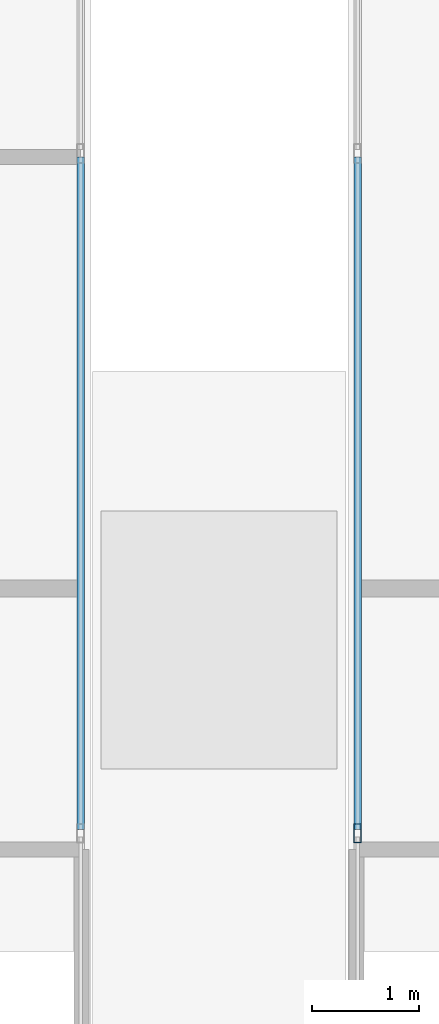
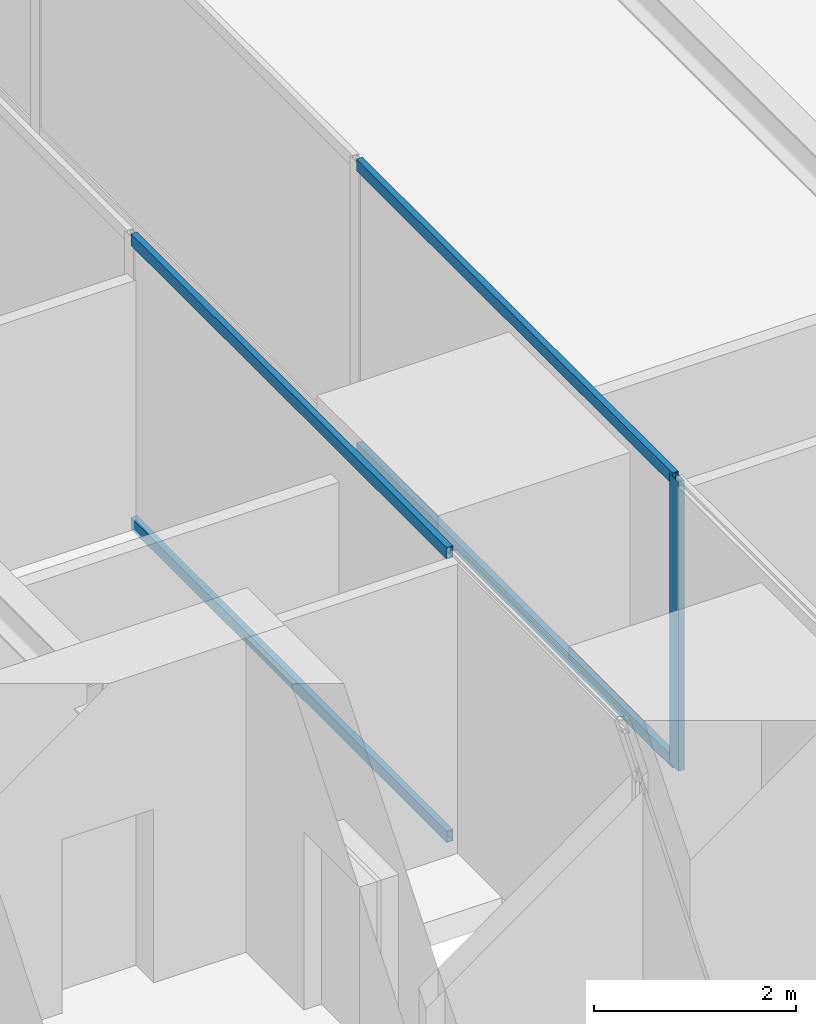
# One storey, part 12 of 25: 5 members, 2 elements without a shape of their own.
"""IFC4 building model written with IfcOpenShell, lengths in metres."""

from ifc_helpers import new_model, si_unit, direction, frame, origin, origin_2d, place, context, subcontext, project, spatial, hollow_rectangle, extrude, source, transform, mapped, material, material_profile, profile_set, type_object, type_shapes, element, aggregate, save


model = new_model("IFC4")

# Units and contexts
model_context = context("Model", 3, precision=1e-05, world=origin(), true_north=direction((0.0, 1.0)))
body_context = subcontext(model_context, "Body", "Model", "MODEL_VIEW")
ifc_project = project(units=[si_unit("LENGTHUNIT", "METRE"), si_unit("AREAUNIT", "SQUARE_METRE"), si_unit("VOLUMEUNIT", "CUBIC_METRE"), si_unit("PLANEANGLEUNIT", "RADIAN"), si_unit("MASSUNIT", "GRAM", prefix="KILO")], contexts=[model_context])

# Site, building, storey
site_placement = place(None, origin())
site = spatial("IfcSite", under=ifc_project, at=site_placement, CompositionType="ELEMENT")
building_placement = place(site_placement, origin())
building = spatial("IfcBuilding", under=site, at=building_placement, Name="Krantzveldt Concourse Tower", CompositionType="ELEMENT")
storey_placement = place(building_placement, frame((0.0, 0.0, 367.050048828125)))
storey = spatial("IfcBuildingStorey", under=building, at=storey_placement, Name="L90", CompositionType="ELEMENT", Elevation=367.050048828125)

# Curtain wall, member
ifc_material = material(Name="Anodised aluminium 6063-T6", Category="aluminium")
curtain_wall_type = type_object("IfcCurtainWallType", Name="CW7", PredefinedType="USERDEFINED", material=ifc_material)
curtain_wall_1_placement = place(storey_placement, origin())
curtain_wall_1 = element("IfcCurtainWall", 1, at=curtain_wall_1_placement, inside=storey, type_object=curtain_wall_type, Name="CW-L90-EAST-07", ObjectType="UNITISED CURTAIN WALL", PredefinedType="USERDEFINED")
ifc_material_profile_1 = material_profile(ifc_material, hollow_rectangle(XDim=0.070068359375, YDim=0.179931640625, WallThickness=0.0048828125, at=origin_2d()), Name="Anodised aluminium 6063-T6", Category="aluminium")
ifc_profile_set_1 = profile_set([ifc_material_profile_1], Name="Anodised aluminium 6063-T6 - ALU-MULL 180x70x5")
member_type_1 = type_object("IfcMemberType", Name="CW-MUL-180", PredefinedType="MULLION", material=ifc_profile_set_1)
shared_shape_1 = source(origin(), body_context, "Body", "SweptSolid", [
    extrude(hollow_rectangle(XDim=0.070068359375, YDim=0.179931640625, WallThickness=0.0048828125, at=origin_2d()), origin(), (0.0, 0.0, 1.0), 3.5),
])
type_shapes(member_type_1, [shared_shape_1])
member_1_placement = place(storey_placement, frame((37.2900390625, 26.699951171875, 0.0), z_axis=(0.0, 0.0, 1.0), x_axis=(1.0, 0.0, 0.0)))
member_1 = element("IfcMember", 2, at=member_1_placement, type_object=member_type_1, Name="CW-CRN mullion 4", PredefinedType="MULLION", context=body_context, shape_type="MappedRepresentation", body=[
    mapped(shared_shape_1, transform((0.0, 0.0, 0.0), x_axis=(1.0, 0.0, 0.0), y_axis=(0.0, 1.0, 0.0), z_axis=(0.0, 0.0, 1.0), scale=1.0)),
])

# Curtain wall, members
curtain_wall_2_placement = place(storey_placement, origin())
curtain_wall_2 = element("IfcCurtainWall", 3, at=curtain_wall_2_placement, inside=storey, type_object=curtain_wall_type, Name="CW-L90-WEST-01", ObjectType="UNITISED CURTAIN WALL", PredefinedType="USERDEFINED")
ifc_material_profile_2 = material_profile(ifc_material, hollow_rectangle(XDim=0.070068359375, YDim=0.139892578125, WallThickness=0.0048828125, at=origin_2d()), Name="Anodised aluminium 6063-T6", Category="aluminium")
ifc_profile_set_2 = profile_set([ifc_material_profile_2], Name="Anodised aluminium 6063-T6 - ALU-TRAN 140x70x5")
member_type_2 = type_object("IfcMemberType", Name="CW-TRN-150", PredefinedType="USERDEFINED", material=ifc_profile_set_2)
shared_shape_2 = source(origin(), body_context, "Body", "SweptSolid", [
    extrude(hollow_rectangle(XDim=0.070068359375, YDim=0.139892578125, WallThickness=0.0048828125, at=origin_2d()), origin(), (0.0, 0.0, 1.0), 6.26318359375),
])
type_shapes(member_type_2, [shared_shape_2])
member_2_placement = place(storey_placement, frame((34.7099609375, 26.735107421875, 0.034912109375), z_axis=(0.0, 1.0, 0.0), x_axis=(-1.0, 0.0, 0.0)))
member_2 = element("IfcMember", 4, at=member_2_placement, type_object=member_type_2, Name="CW-CRN transom 4.1", ObjectType="TRANSOM", PredefinedType="USERDEFINED", context=body_context, shape_type="MappedRepresentation", body=[
    mapped(shared_shape_2, transform((0.0, 0.0, 0.0), x_axis=(1.0, 0.0, 0.0), y_axis=(0.0, 1.0, 0.0), z_axis=(0.0, 0.0, 1.0), scale=1.0)),
])
member_3_placement = place(storey_placement, frame((34.7099609375, 26.735107421875, 3.46484375), z_axis=(0.0, 1.0, 0.0), x_axis=(-1.0, 0.0, 0.0)))
member_3 = element("IfcMember", 5, at=member_3_placement, type_object=member_type_2, Name="CW-CRN transom 4.2", ObjectType="TRANSOM", PredefinedType="USERDEFINED", context=body_context, shape_type="MappedRepresentation", body=[
    mapped(shared_shape_2, transform((0.0, 0.0, 0.0), x_axis=(1.0, 0.0, 0.0), y_axis=(0.0, 1.0, 0.0), z_axis=(0.0, 0.0, 1.0), scale=1.0)),
])
aggregate(curtain_wall_2, [member_2, member_3])

# Member
member_4_placement = place(storey_placement, frame((37.2900390625, 32.998291015625, 0.034912109375), z_axis=(0.0, -1.0, 0.0), x_axis=(1.0, 0.0, 0.0)))
member_4 = element("IfcMember", 6, at=member_4_placement, type_object=member_type_2, Name="CW-CRN transom 3.1", ObjectType="TRANSOM", PredefinedType="USERDEFINED", context=body_context, shape_type="MappedRepresentation", body=[
    mapped(shared_shape_2, transform((0.0, 0.0, 0.0), x_axis=(1.0, 0.0, 0.0), y_axis=(0.0, 1.0, 0.0), z_axis=(0.0, 0.0, 1.0), scale=1.0)),
])

member_5_placement = place(storey_placement, frame((37.2900390625, 32.998291015625, 3.46484375), z_axis=(0.0, -1.0, 0.0), x_axis=(1.0, 0.0, 0.0)))
member_5 = element("IfcMember", 7, at=member_5_placement, type_object=member_type_2, Name="CW-CRN transom 3.2", ObjectType="TRANSOM", PredefinedType="USERDEFINED", context=body_context, shape_type="MappedRepresentation", body=[
    mapped(shared_shape_2, transform((0.0, 0.0, 0.0), x_axis=(1.0, 0.0, 0.0), y_axis=(0.0, 1.0, 0.0), z_axis=(0.0, 0.0, 1.0), scale=1.0)),
])

aggregate(curtain_wall_1, [member_1, member_4, member_5])

save(model, "model.ifc")
